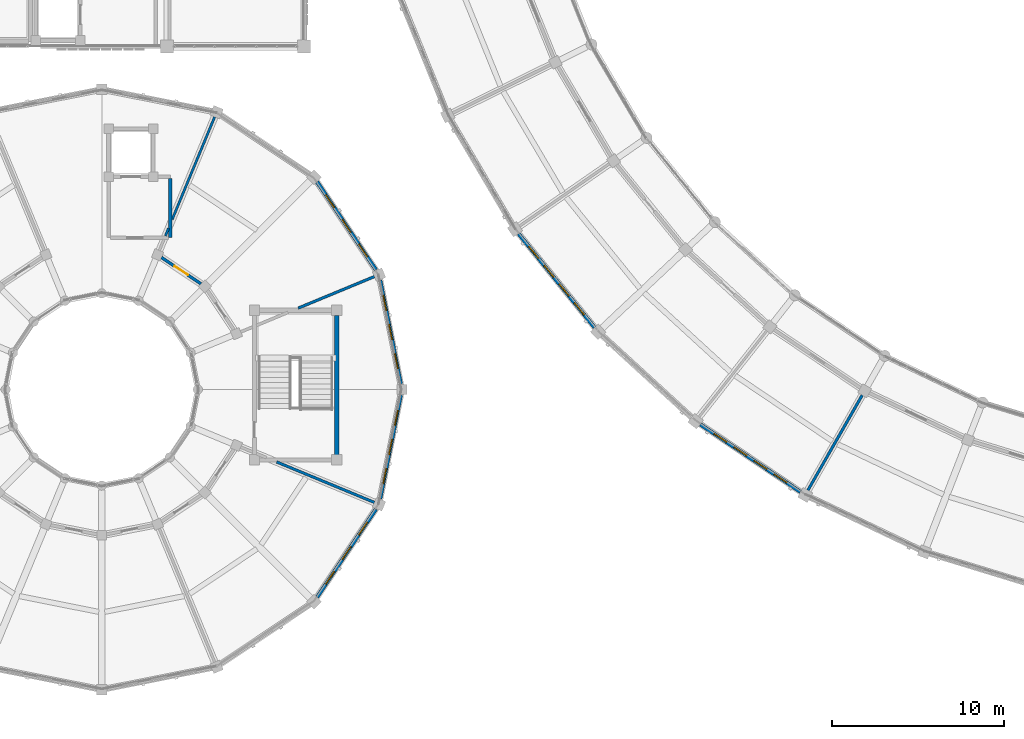
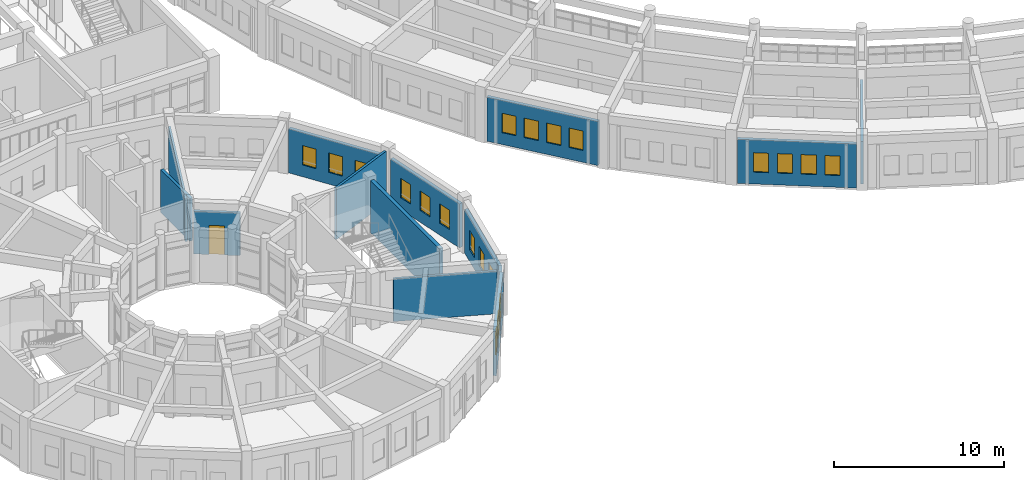
# One storey, part 118 of 159: 20 windows, 14 walls, 1 door, 21 openings.
"""IFC4 building model written with IfcOpenShell, lengths in metres."""

from ifc_helpers import new_model, si_unit, direction, frame, frame_2d, origin, place, context, subcontext, project, spatial, rectangle, extrude, material, layer, layer_set, type_object, element, fill, save


model = new_model("IFC4")

# Units and contexts
model_context = context("Model", 3, precision=1e-05, world=origin(), true_north=direction((0.0, 1.0)))
body_context = subcontext(model_context, "Body", "Model", "MODEL_VIEW")
ifc_project = project(units=[si_unit("LENGTHUNIT", "METRE"), si_unit("AREAUNIT", "SQUARE_METRE"), si_unit("VOLUMEUNIT", "CUBIC_METRE"), si_unit("PLANEANGLEUNIT", "RADIAN"), si_unit("MASSUNIT", "GRAM", prefix="KILO")], contexts=[model_context])

# Site, building, storey
site_placement = place(None, origin())
site = spatial("IfcSite", under=ifc_project, at=site_placement, CompositionType="ELEMENT")
building_placement = place(site_placement, origin())
building = spatial("IfcBuilding", under=site, at=building_placement, Name="Celadon Cloister-Ring School", CompositionType="ELEMENT")
storey_placement = place(building_placement, frame((0.0, 0.0, 4.5)))
storey = spatial("IfcBuildingStorey", under=building, at=storey_placement, Name="L01", CompositionType="ELEMENT", Elevation=4.5)

# Wall, openings, windows
ifc_material_1 = material(Name="Perforated terracotta clay brick masonry", Category="masonry")
ifc_layer_1 = layer(ifc_material_1, 0.219970703125)
ifc_layer_set_1 = layer_set([ifc_layer_1], Name="Perforated terracotta clay brick masonry")
wall_type_1 = type_object("IfcWallType", Name="WT-EX4", PredefinedType="SOLIDWALL", material=ifc_layer_set_1)
wall_1_placement = place(storey_placement, frame((48.926025390625, 23.616943359375, 0.0), z_axis=(0.0, 0.0, 1.0), x_axis=(-0.629497848331, 0.777002225831, 0.0)))
wall_1 = element("IfcWall", 1, at=wall_1_placement, inside=storey, type_object=wall_type_1, Name="Exterior Wall 0068", PredefinedType="SOLIDWALL", context=body_context, shape_type="SweptSolid", body=[
    extrude(rectangle(XDim=7.031005859375, YDim=0.219970703125, at=frame_2d((3.515625, 0.0))), origin(), (0.0, 0.0, 1.0), 3.172119140625),
])
opening_1_placement = place(wall_1_placement, frame((0.9560546875, 0.0, 0.85009765625)))
opening_1 = element("IfcOpeningElement", 2, at=opening_1_placement, cuts=wall_1, Name="Opening WN-21", PredefinedType="OPENING", context=body_context, shape_type="SweptSolid", body=[
    extrude(rectangle(XDim=0.89990234375, YDim=1.39990234375, at=frame_2d((0.449951171875, 0.699951171875))), frame((0.0, 0.1201171875, 0.0), z_axis=(0.0, -1.0, 0.0), x_axis=(1.0, 0.0, 0.0)), (0.0, 0.0, 1.0), 0.239990234375),
])
opening_2_placement = place(wall_1_placement, frame((2.362060546875, 0.0, 0.85009765625)))
opening_2 = element("IfcOpeningElement", 3, at=opening_2_placement, cuts=wall_1, Name="Opening WN-21", PredefinedType="OPENING", context=body_context, shape_type="SweptSolid", body=[
    extrude(rectangle(XDim=0.89990234375, YDim=1.39990234375, at=frame_2d((0.449951171875, 0.699951171875))), frame((0.0, 0.1201171875, 0.0), z_axis=(0.0, -1.0, 0.0), x_axis=(1.0, 0.0, 0.0)), (0.0, 0.0, 1.0), 0.239990234375),
])
opening_3_placement = place(wall_1_placement, frame((3.76904296875, 0.0, 0.85009765625)))
opening_3 = element("IfcOpeningElement", 4, at=opening_3_placement, cuts=wall_1, Name="Opening WN-21", PredefinedType="OPENING", context=body_context, shape_type="SweptSolid", body=[
    extrude(rectangle(XDim=0.89990234375, YDim=1.39990234375, at=frame_2d((0.449951171875, 0.699951171875))), frame((0.0, 0.1201171875, 0.0), z_axis=(0.0, -1.0, 0.0), x_axis=(1.0, 0.0, 0.0)), (0.0, 0.0, 1.0), 0.239990234375),
])
opening_4_placement = place(wall_1_placement, frame((5.175048828125, 0.0, 0.85009765625)))
opening_4 = element("IfcOpeningElement", 5, at=opening_4_placement, cuts=wall_1, Name="Opening WN-21", PredefinedType="OPENING", context=body_context, shape_type="SweptSolid", body=[
    extrude(rectangle(XDim=0.89990234375, YDim=1.39990234375, at=frame_2d((0.449951171875, 0.699951171875))), frame((0.0, 0.1201171875, 0.0), z_axis=(0.0, -1.0, 0.0), x_axis=(1.0, 0.0, 0.0)), (0.0, 0.0, 1.0), 0.239990234375),
])
ifc_material_2 = material(Name="Tempered laminated insulating glass", Category="glass")
window_type = type_object("IfcWindowType", Name="WN-21", PartitioningType="SINGLE_PANEL", PredefinedType="WINDOW", material=ifc_material_2)
window_1_placement = place(opening_1_placement, origin())
window_1 = element("IfcWindow", 6, at=window_1_placement, inside=storey, type_object=window_type, Name="Window 0173", OverallHeight=1.39990234375, OverallWidth=0.89990234375, PartitioningType="SINGLE_PANEL", PredefinedType="WINDOW", context=body_context, shape_type="SweptSolid", body=[
    extrude(rectangle(XDim=0.89990234375, YDim=1.39990234375, at=frame_2d((0.449951171875, 0.699951171875))), frame((0.0, 0.030029296875, 0.0), z_axis=(0.0, -1.0, 0.0), x_axis=(1.0, 0.0, 0.0)), (0.0, 0.0, 1.0), 0.06005859375),
])
fill(opening_1, window_1)
window_2_placement = place(opening_2_placement, origin())
window_2 = element("IfcWindow", 7, at=window_2_placement, inside=storey, type_object=window_type, Name="Window 0174", OverallHeight=1.39990234375, OverallWidth=0.89990234375, PartitioningType="SINGLE_PANEL", PredefinedType="WINDOW", context=body_context, shape_type="SweptSolid", body=[
    extrude(rectangle(XDim=0.89990234375, YDim=1.39990234375, at=frame_2d((0.449951171875, 0.699951171875))), frame((0.0, 0.030029296875, 0.0), z_axis=(0.0, -1.0, 0.0), x_axis=(1.0, 0.0, 0.0)), (0.0, 0.0, 1.0), 0.06005859375),
])
fill(opening_2, window_2)
window_3_placement = place(opening_3_placement, origin())
window_3 = element("IfcWindow", 8, at=window_3_placement, inside=storey, type_object=window_type, Name="Window 0175", OverallHeight=1.39990234375, OverallWidth=0.89990234375, PartitioningType="SINGLE_PANEL", PredefinedType="WINDOW", context=body_context, shape_type="SweptSolid", body=[
    extrude(rectangle(XDim=0.89990234375, YDim=1.39990234375, at=frame_2d((0.449951171875, 0.699951171875))), frame((0.0, 0.030029296875, 0.0), z_axis=(0.0, -1.0, 0.0), x_axis=(1.0, 0.0, 0.0)), (0.0, 0.0, 1.0), 0.06005859375),
])
fill(opening_3, window_3)
window_4_placement = place(opening_4_placement, origin())
window_4 = element("IfcWindow", 9, at=window_4_placement, inside=storey, type_object=window_type, Name="Window 0176", OverallHeight=1.39990234375, OverallWidth=0.89990234375, PartitioningType="SINGLE_PANEL", PredefinedType="WINDOW", context=body_context, shape_type="SweptSolid", body=[
    extrude(rectangle(XDim=0.89990234375, YDim=1.39990234375, at=frame_2d((0.449951171875, 0.699951171875))), frame((0.0, 0.030029296875, 0.0), z_axis=(0.0, -1.0, 0.0), x_axis=(1.0, 0.0, 0.0)), (0.0, 0.0, 1.0), 0.06005859375),
])
fill(opening_4, window_4)

wall_2_placement = place(storey_placement, frame((60.928955078125, 14.034912109375, 0.0), z_axis=(0.0, 0.0, 1.0), x_axis=(-0.829175809129, 0.558987904659, 0.0)))
wall_2 = element("IfcWall", 10, at=wall_2_placement, inside=storey, type_object=wall_type_1, Name="Exterior Wall 0071", PredefinedType="SOLIDWALL", context=body_context, shape_type="SweptSolid", body=[
    extrude(rectangle(XDim=7.03076171875, YDim=0.219970703125, at=frame_2d((3.515380859375, 0.0))), origin(), (0.0, 0.0, 1.0), 3.172119140625),
])
opening_5_placement = place(wall_2_placement, frame((0.9560546875, 0.0, 0.85009765625)))
opening_5 = element("IfcOpeningElement", 11, at=opening_5_placement, cuts=wall_2, Name="Opening WN-21", PredefinedType="OPENING", context=body_context, shape_type="SweptSolid", body=[
    extrude(rectangle(XDim=0.89990234375, YDim=1.39990234375, at=frame_2d((0.449951171875, 0.699951171875))), frame((0.0, 0.1201171875, 0.0), z_axis=(0.0, -1.0, 0.0), x_axis=(1.0, 0.0, 0.0)), (0.0, 0.0, 1.0), 0.239990234375),
])
opening_6_placement = place(wall_2_placement, frame((2.362060546875, 0.0, 0.85009765625)))
opening_6 = element("IfcOpeningElement", 12, at=opening_6_placement, cuts=wall_2, Name="Opening WN-21", PredefinedType="OPENING", context=body_context, shape_type="SweptSolid", body=[
    extrude(rectangle(XDim=0.89990234375, YDim=1.39990234375, at=frame_2d((0.449951171875, 0.699951171875))), frame((0.0, 0.1201171875, 0.0), z_axis=(0.0, -1.0, 0.0), x_axis=(1.0, 0.0, 0.0)), (0.0, 0.0, 1.0), 0.239990234375),
])
opening_7_placement = place(wall_2_placement, frame((3.76904296875, 0.0, 0.85009765625)))
opening_7 = element("IfcOpeningElement", 13, at=opening_7_placement, cuts=wall_2, Name="Opening WN-21", PredefinedType="OPENING", context=body_context, shape_type="SweptSolid", body=[
    extrude(rectangle(XDim=0.89990234375, YDim=1.39990234375, at=frame_2d((0.449951171875, 0.699951171875))), frame((0.0, 0.1201171875, 0.0), z_axis=(0.0, -1.0, 0.0), x_axis=(1.0, 0.0, 0.0)), (0.0, 0.0, 1.0), 0.239990234375),
])
opening_8_placement = place(wall_2_placement, frame((5.175048828125, 0.0, 0.85009765625)))
opening_8 = element("IfcOpeningElement", 14, at=opening_8_placement, cuts=wall_2, Name="Opening WN-21", PredefinedType="OPENING", context=body_context, shape_type="SweptSolid", body=[
    extrude(rectangle(XDim=0.89990234375, YDim=1.39990234375, at=frame_2d((0.449951171875, 0.699951171875))), frame((0.0, 0.1201171875, 0.0), z_axis=(0.0, -1.0, 0.0), x_axis=(1.0, 0.0, 0.0)), (0.0, 0.0, 1.0), 0.239990234375),
])
window_5_placement = place(opening_5_placement, origin())
window_5 = element("IfcWindow", 15, at=window_5_placement, inside=storey, type_object=window_type, Name="Window 0182", OverallHeight=1.39990234375, OverallWidth=0.89990234375, PartitioningType="SINGLE_PANEL", PredefinedType="WINDOW", context=body_context, shape_type="SweptSolid", body=[
    extrude(rectangle(XDim=0.89990234375, YDim=1.39990234375, at=frame_2d((0.449951171875, 0.699951171875))), frame((0.0, 0.030029296875, 0.0), z_axis=(0.0, -1.0, 0.0), x_axis=(1.0, 0.0, 0.0)), (0.0, 0.0, 1.0), 0.06005859375),
])
fill(opening_5, window_5)
window_6_placement = place(opening_6_placement, origin())
window_6 = element("IfcWindow", 16, at=window_6_placement, inside=storey, type_object=window_type, Name="Window 0183", OverallHeight=1.39990234375, OverallWidth=0.89990234375, PartitioningType="SINGLE_PANEL", PredefinedType="WINDOW", context=body_context, shape_type="SweptSolid", body=[
    extrude(rectangle(XDim=0.89990234375, YDim=1.39990234375, at=frame_2d((0.449951171875, 0.699951171875))), frame((0.0, 0.030029296875, 0.0), z_axis=(0.0, -1.0, 0.0), x_axis=(1.0, 0.0, 0.0)), (0.0, 0.0, 1.0), 0.06005859375),
])
fill(opening_6, window_6)
window_7_placement = place(opening_7_placement, origin())
window_7 = element("IfcWindow", 17, at=window_7_placement, inside=storey, type_object=window_type, Name="Window 0184", OverallHeight=1.39990234375, OverallWidth=0.89990234375, PartitioningType="SINGLE_PANEL", PredefinedType="WINDOW", context=body_context, shape_type="SweptSolid", body=[
    extrude(rectangle(XDim=0.89990234375, YDim=1.39990234375, at=frame_2d((0.449951171875, 0.699951171875))), frame((0.0, 0.030029296875, 0.0), z_axis=(0.0, -1.0, 0.0), x_axis=(1.0, 0.0, 0.0)), (0.0, 0.0, 1.0), 0.06005859375),
])
fill(opening_7, window_7)
window_8_placement = place(opening_8_placement, origin())
window_8 = element("IfcWindow", 18, at=window_8_placement, inside=storey, type_object=window_type, Name="Window 0185", OverallHeight=1.39990234375, OverallWidth=0.89990234375, PartitioningType="SINGLE_PANEL", PredefinedType="WINDOW", context=body_context, shape_type="SweptSolid", body=[
    extrude(rectangle(XDim=0.89990234375, YDim=1.39990234375, at=frame_2d((0.449951171875, 0.699951171875))), frame((0.0, 0.030029296875, 0.0), z_axis=(0.0, -1.0, 0.0), x_axis=(1.0, 0.0, 0.0)), (0.0, 0.0, 1.0), 0.06005859375),
])
fill(opening_8, window_8)

wall_3_placement = place(storey_placement, frame((36.431884765625, 26.3740234375, 0.0), z_axis=(0.0, 0.0, 1.0), x_axis=(0.195164813773, -0.980770460131, 0.0)))
wall_3 = element("IfcWall", 19, at=wall_3_placement, inside=storey, type_object=wall_type_1, Name="Exterior Wall 0311", PredefinedType="SOLIDWALL", context=body_context, shape_type="SweptSolid", body=[
    extrude(rectangle(XDim=6.169677734375, YDim=0.219970703125, at=frame_2d((3.0849609375, 0.0))), origin(), (0.0, 0.0, 1.0), 3.172119140625),
])
opening_9_placement = place(wall_3_placement, frame((0.906982421875, 0.0, 0.85009765625)))
opening_9 = element("IfcOpeningElement", 20, at=opening_9_placement, cuts=wall_3, Name="Opening WN-21", PredefinedType="OPENING", context=body_context, shape_type="SweptSolid", body=[
    extrude(rectangle(XDim=0.89990234375, YDim=1.39990234375, at=frame_2d((0.449951171875, 0.699951171875))), frame((0.0, 0.1201171875, 0.0), z_axis=(0.0, -1.0, 0.0), x_axis=(1.0, 0.0, 0.0)), (0.0, 0.0, 1.0), 0.239990234375),
])
opening_10_placement = place(wall_3_placement, frame((2.635009765625, 0.0, 0.85009765625)))
opening_10 = element("IfcOpeningElement", 21, at=opening_10_placement, cuts=wall_3, Name="Opening WN-21", PredefinedType="OPENING", context=body_context, shape_type="SweptSolid", body=[
    extrude(rectangle(XDim=0.89990234375, YDim=1.39990234375, at=frame_2d((0.449951171875, 0.699951171875))), frame((0.0, 0.1201171875, 0.0), z_axis=(0.0, -1.0, 0.0), x_axis=(1.0, 0.0, 0.0)), (0.0, 0.0, 1.0), 0.239990234375),
])
opening_11_placement = place(wall_3_placement, frame((4.362060546875, 0.0, 0.85009765625)))
opening_11 = element("IfcOpeningElement", 22, at=opening_11_placement, cuts=wall_3, Name="Opening WN-21", PredefinedType="OPENING", context=body_context, shape_type="SweptSolid", body=[
    extrude(rectangle(XDim=0.89990234375, YDim=1.39990234375, at=frame_2d((0.449951171875, 0.699951171875))), frame((0.0, 0.1201171875, 0.0), z_axis=(0.0, -1.0, 0.0), x_axis=(1.0, 0.0, 0.0)), (0.0, 0.0, 1.0), 0.239990234375),
])
window_9_placement = place(opening_9_placement, origin())
window_9 = element("IfcWindow", 23, at=window_9_placement, inside=storey, type_object=window_type, Name="Window 0803", OverallHeight=1.39990234375, OverallWidth=0.89990234375, PartitioningType="SINGLE_PANEL", PredefinedType="WINDOW", context=body_context, shape_type="SweptSolid", body=[
    extrude(rectangle(XDim=0.89990234375, YDim=1.39990234375, at=frame_2d((0.449951171875, 0.699951171875))), frame((0.0, 0.030029296875, 0.0), z_axis=(0.0, -1.0, 0.0), x_axis=(1.0, 0.0, 0.0)), (0.0, 0.0, 1.0), 0.06005859375),
])
fill(opening_9, window_9)
window_10_placement = place(opening_10_placement, origin())
window_10 = element("IfcWindow", 24, at=window_10_placement, inside=storey, type_object=window_type, Name="Window 0804", OverallHeight=1.39990234375, OverallWidth=0.89990234375, PartitioningType="SINGLE_PANEL", PredefinedType="WINDOW", context=body_context, shape_type="SweptSolid", body=[
    extrude(rectangle(XDim=0.89990234375, YDim=1.39990234375, at=frame_2d((0.449951171875, 0.699951171875))), frame((0.0, 0.030029296875, 0.0), z_axis=(0.0, -1.0, 0.0), x_axis=(1.0, 0.0, 0.0)), (0.0, 0.0, 1.0), 0.06005859375),
])
fill(opening_10, window_10)
window_11_placement = place(opening_11_placement, origin())
window_11 = element("IfcWindow", 25, at=window_11_placement, inside=storey, type_object=window_type, Name="Window 0805", OverallHeight=1.39990234375, OverallWidth=0.89990234375, PartitioningType="SINGLE_PANEL", PredefinedType="WINDOW", context=body_context, shape_type="SweptSolid", body=[
    extrude(rectangle(XDim=0.89990234375, YDim=1.39990234375, at=frame_2d((0.449951171875, 0.699951171875))), frame((0.0, 0.030029296875, 0.0), z_axis=(0.0, -1.0, 0.0), x_axis=(1.0, 0.0, 0.0)), (0.0, 0.0, 1.0), 0.06005859375),
])
fill(opening_11, window_11)

wall_4_placement = place(storey_placement, frame((32.757080078125, 32.10009765625, 0.0), z_axis=(0.0, 0.0, 1.0), x_axis=(0.555658736667, -0.831410469242, 0.0)))
wall_4 = element("IfcWall", 26, at=wall_4_placement, inside=storey, type_object=wall_type_1, Name="Exterior Wall 0312", PredefinedType="SOLIDWALL", context=body_context, shape_type="SweptSolid", body=[
    extrude(rectangle(XDim=6.169189453125, YDim=0.219970703125, at=frame_2d((3.08447265625, 0.0))), origin(), (0.0, 0.0, 1.0), 3.172119140625),
])
opening_12_placement = place(wall_4_placement, frame((0.906982421875, 0.0, 0.85009765625)))
opening_12 = element("IfcOpeningElement", 27, at=opening_12_placement, cuts=wall_4, Name="Opening WN-21", PredefinedType="OPENING", context=body_context, shape_type="SweptSolid", body=[
    extrude(rectangle(XDim=0.89990234375, YDim=1.39990234375, at=frame_2d((0.449951171875, 0.699951171875))), frame((0.0, 0.1201171875, 0.0), z_axis=(0.0, -1.0, 0.0), x_axis=(1.0, 0.0, 0.0)), (0.0, 0.0, 1.0), 0.239990234375),
])
opening_13_placement = place(wall_4_placement, frame((2.635009765625, 0.0, 0.85009765625)))
opening_13 = element("IfcOpeningElement", 28, at=opening_13_placement, cuts=wall_4, Name="Opening WN-21", PredefinedType="OPENING", context=body_context, shape_type="SweptSolid", body=[
    extrude(rectangle(XDim=0.89990234375, YDim=1.39990234375, at=frame_2d((0.449951171875, 0.699951171875))), frame((0.0, 0.1201171875, 0.0), z_axis=(0.0, -1.0, 0.0), x_axis=(1.0, 0.0, 0.0)), (0.0, 0.0, 1.0), 0.239990234375),
])
opening_14_placement = place(wall_4_placement, frame((4.362060546875, 0.0, 0.85009765625)))
opening_14 = element("IfcOpeningElement", 29, at=opening_14_placement, cuts=wall_4, Name="Opening WN-21", PredefinedType="OPENING", context=body_context, shape_type="SweptSolid", body=[
    extrude(rectangle(XDim=0.89990234375, YDim=1.39990234375, at=frame_2d((0.449951171875, 0.699951171875))), frame((0.0, 0.1201171875, 0.0), z_axis=(0.0, -1.0, 0.0), x_axis=(1.0, 0.0, 0.0)), (0.0, 0.0, 1.0), 0.239990234375),
])
window_12_placement = place(opening_12_placement, origin())
window_12 = element("IfcWindow", 30, at=window_12_placement, inside=storey, type_object=window_type, Name="Window 0806", OverallHeight=1.39990234375, OverallWidth=0.89990234375, PartitioningType="SINGLE_PANEL", PredefinedType="WINDOW", context=body_context, shape_type="SweptSolid", body=[
    extrude(rectangle(XDim=0.89990234375, YDim=1.39990234375, at=frame_2d((0.449951171875, 0.699951171875))), frame((0.0, 0.030029296875, 0.0), z_axis=(0.0, -1.0, 0.0), x_axis=(1.0, 0.0, 0.0)), (0.0, 0.0, 1.0), 0.06005859375),
])
fill(opening_12, window_12)
window_13_placement = place(opening_13_placement, origin())
window_13 = element("IfcWindow", 31, at=window_13_placement, inside=storey, type_object=window_type, Name="Window 0807", OverallHeight=1.39990234375, OverallWidth=0.89990234375, PartitioningType="SINGLE_PANEL", PredefinedType="WINDOW", context=body_context, shape_type="SweptSolid", body=[
    extrude(rectangle(XDim=0.89990234375, YDim=1.39990234375, at=frame_2d((0.449951171875, 0.699951171875))), frame((0.0, 0.030029296875, 0.0), z_axis=(0.0, -1.0, 0.0), x_axis=(1.0, 0.0, 0.0)), (0.0, 0.0, 1.0), 0.06005859375),
])
fill(opening_13, window_13)
window_14_placement = place(opening_14_placement, origin())
window_14 = element("IfcWindow", 32, at=window_14_placement, inside=storey, type_object=window_type, Name="Window 0808", OverallHeight=1.39990234375, OverallWidth=0.89990234375, PartitioningType="SINGLE_PANEL", PredefinedType="WINDOW", context=body_context, shape_type="SweptSolid", body=[
    extrude(rectangle(XDim=0.89990234375, YDim=1.39990234375, at=frame_2d((0.449951171875, 0.699951171875))), frame((0.0, 0.030029296875, 0.0), z_axis=(0.0, -1.0, 0.0), x_axis=(1.0, 0.0, 0.0)), (0.0, 0.0, 1.0), 0.06005859375),
])
fill(opening_14, window_14)

wall_5_placement = place(storey_placement, frame((36.18505859375, 13.029052734375, 0.0), z_axis=(0.0, 0.0, 1.0), x_axis=(-0.555658736667, -0.831410469242, 0.0)))
wall_5 = element("IfcWall", 33, at=wall_5_placement, inside=storey, type_object=wall_type_1, Name="Exterior Wall 0328", PredefinedType="SOLIDWALL", context=body_context, shape_type="SweptSolid", body=[
    extrude(rectangle(XDim=6.169189453125, YDim=0.219970703125, at=frame_2d((3.08447265625, 0.0))), origin(), (0.0, 0.0, 1.0), 3.172119140625),
])
opening_15_placement = place(wall_5_placement, frame((0.906982421875, 0.0, 0.85009765625)))
opening_15 = element("IfcOpeningElement", 34, at=opening_15_placement, cuts=wall_5, Name="Opening WN-21", PredefinedType="OPENING", context=body_context, shape_type="SweptSolid", body=[
    extrude(rectangle(XDim=0.89990234375, YDim=1.39990234375, at=frame_2d((0.449951171875, 0.699951171875))), frame((0.0, 0.1201171875, 0.0), z_axis=(0.0, -1.0, 0.0), x_axis=(1.0, 0.0, 0.0)), (0.0, 0.0, 1.0), 0.239990234375),
])
opening_16_placement = place(wall_5_placement, frame((2.635009765625, 0.0, 0.85009765625)))
opening_16 = element("IfcOpeningElement", 35, at=opening_16_placement, cuts=wall_5, Name="Opening WN-21", PredefinedType="OPENING", context=body_context, shape_type="SweptSolid", body=[
    extrude(rectangle(XDim=0.89990234375, YDim=1.39990234375, at=frame_2d((0.449951171875, 0.699951171875))), frame((0.0, 0.1201171875, 0.0), z_axis=(0.0, -1.0, 0.0), x_axis=(1.0, 0.0, 0.0)), (0.0, 0.0, 1.0), 0.239990234375),
])
opening_17_placement = place(wall_5_placement, frame((4.362060546875, 0.0, 0.85009765625)))
opening_17 = element("IfcOpeningElement", 36, at=opening_17_placement, cuts=wall_5, Name="Opening WN-21", PredefinedType="OPENING", context=body_context, shape_type="SweptSolid", body=[
    extrude(rectangle(XDim=0.89990234375, YDim=1.39990234375, at=frame_2d((0.449951171875, 0.699951171875))), frame((0.0, 0.1201171875, 0.0), z_axis=(0.0, -1.0, 0.0), x_axis=(1.0, 0.0, 0.0)), (0.0, 0.0, 1.0), 0.239990234375),
])
window_15_placement = place(opening_15_placement, origin())
window_15 = element("IfcWindow", 37, at=window_15_placement, inside=storey, type_object=window_type, Name="Window 0845", OverallHeight=1.39990234375, OverallWidth=0.89990234375, PartitioningType="SINGLE_PANEL", PredefinedType="WINDOW", context=body_context, shape_type="SweptSolid", body=[
    extrude(rectangle(XDim=0.89990234375, YDim=1.39990234375, at=frame_2d((0.449951171875, 0.699951171875))), frame((0.0, 0.030029296875, 0.0), z_axis=(0.0, -1.0, 0.0), x_axis=(1.0, 0.0, 0.0)), (0.0, 0.0, 1.0), 0.06005859375),
])
fill(opening_15, window_15)
window_16_placement = place(opening_16_placement, origin())
window_16 = element("IfcWindow", 38, at=window_16_placement, inside=storey, type_object=window_type, Name="Window 0846", OverallHeight=1.39990234375, OverallWidth=0.89990234375, PartitioningType="SINGLE_PANEL", PredefinedType="WINDOW", context=body_context, shape_type="SweptSolid", body=[
    extrude(rectangle(XDim=0.89990234375, YDim=1.39990234375, at=frame_2d((0.449951171875, 0.699951171875))), frame((0.0, 0.030029296875, 0.0), z_axis=(0.0, -1.0, 0.0), x_axis=(1.0, 0.0, 0.0)), (0.0, 0.0, 1.0), 0.06005859375),
])
fill(opening_16, window_16)
window_17_placement = place(opening_17_placement, origin())
window_17 = element("IfcWindow", 39, at=window_17_placement, inside=storey, type_object=window_type, Name="Window 0847", OverallHeight=1.39990234375, OverallWidth=0.89990234375, PartitioningType="SINGLE_PANEL", PredefinedType="WINDOW", context=body_context, shape_type="SweptSolid", body=[
    extrude(rectangle(XDim=0.89990234375, YDim=1.39990234375, at=frame_2d((0.449951171875, 0.699951171875))), frame((0.0, 0.030029296875, 0.0), z_axis=(0.0, -1.0, 0.0), x_axis=(1.0, 0.0, 0.0)), (0.0, 0.0, 1.0), 0.06005859375),
])
fill(opening_17, window_17)

wall_6_placement = place(storey_placement, frame((37.635986328125, 19.677001953125, 0.0), z_axis=(0.0, 0.0, 1.0), x_axis=(-0.195164813773, -0.980770460131, 0.0)))
wall_6 = element("IfcWall", 40, at=wall_6_placement, inside=storey, type_object=wall_type_1, Name="Exterior Wall 0330", PredefinedType="SOLIDWALL", context=body_context, shape_type="SweptSolid", body=[
    extrude(rectangle(XDim=6.169677734375, YDim=0.219970703125, at=frame_2d((3.0849609375, 0.0))), origin(), (0.0, 0.0, 1.0), 3.172119140625),
])
opening_18_placement = place(wall_6_placement, frame((0.906982421875, 0.0, 0.85009765625)))
opening_18 = element("IfcOpeningElement", 41, at=opening_18_placement, cuts=wall_6, Name="Opening WN-21", PredefinedType="OPENING", context=body_context, shape_type="SweptSolid", body=[
    extrude(rectangle(XDim=0.89990234375, YDim=1.39990234375, at=frame_2d((0.449951171875, 0.699951171875))), frame((0.0, 0.1201171875, 0.0), z_axis=(0.0, -1.0, 0.0), x_axis=(1.0, 0.0, 0.0)), (0.0, 0.0, 1.0), 0.239990234375),
])
opening_19_placement = place(wall_6_placement, frame((2.635009765625, 0.0, 0.85009765625)))
opening_19 = element("IfcOpeningElement", 42, at=opening_19_placement, cuts=wall_6, Name="Opening WN-21", PredefinedType="OPENING", context=body_context, shape_type="SweptSolid", body=[
    extrude(rectangle(XDim=0.89990234375, YDim=1.39990234375, at=frame_2d((0.449951171875, 0.699951171875))), frame((0.0, 0.1201171875, 0.0), z_axis=(0.0, -1.0, 0.0), x_axis=(1.0, 0.0, 0.0)), (0.0, 0.0, 1.0), 0.239990234375),
])
opening_20_placement = place(wall_6_placement, frame((4.362060546875, 0.0, 0.85009765625)))
opening_20 = element("IfcOpeningElement", 43, at=opening_20_placement, cuts=wall_6, Name="Opening WN-21", PredefinedType="OPENING", context=body_context, shape_type="SweptSolid", body=[
    extrude(rectangle(XDim=0.89990234375, YDim=1.39990234375, at=frame_2d((0.449951171875, 0.699951171875))), frame((0.0, 0.1201171875, 0.0), z_axis=(0.0, -1.0, 0.0), x_axis=(1.0, 0.0, 0.0)), (0.0, 0.0, 1.0), 0.239990234375),
])
window_18_placement = place(opening_18_placement, origin())
window_18 = element("IfcWindow", 44, at=window_18_placement, inside=storey, type_object=window_type, Name="Window 0848", OverallHeight=1.39990234375, OverallWidth=0.89990234375, PartitioningType="SINGLE_PANEL", PredefinedType="WINDOW", context=body_context, shape_type="SweptSolid", body=[
    extrude(rectangle(XDim=0.89990234375, YDim=1.39990234375, at=frame_2d((0.449951171875, 0.699951171875))), frame((0.0, 0.030029296875, 0.0), z_axis=(0.0, -1.0, 0.0), x_axis=(1.0, 0.0, 0.0)), (0.0, 0.0, 1.0), 0.06005859375),
])
fill(opening_18, window_18)
window_19_placement = place(opening_19_placement, origin())
window_19 = element("IfcWindow", 45, at=window_19_placement, inside=storey, type_object=window_type, Name="Window 0849", OverallHeight=1.39990234375, OverallWidth=0.89990234375, PartitioningType="SINGLE_PANEL", PredefinedType="WINDOW", context=body_context, shape_type="SweptSolid", body=[
    extrude(rectangle(XDim=0.89990234375, YDim=1.39990234375, at=frame_2d((0.449951171875, 0.699951171875))), frame((0.0, 0.030029296875, 0.0), z_axis=(0.0, -1.0, 0.0), x_axis=(1.0, 0.0, 0.0)), (0.0, 0.0, 1.0), 0.06005859375),
])
fill(opening_19, window_19)
window_20_placement = place(opening_20_placement, origin())
window_20 = element("IfcWindow", 46, at=window_20_placement, inside=storey, type_object=window_type, Name="Window 0850", OverallHeight=1.39990234375, OverallWidth=0.89990234375, PartitioningType="SINGLE_PANEL", PredefinedType="WINDOW", context=body_context, shape_type="SweptSolid", body=[
    extrude(rectangle(XDim=0.89990234375, YDim=1.39990234375, at=frame_2d((0.449951171875, 0.699951171875))), frame((0.0, 0.030029296875, 0.0), z_axis=(0.0, -1.0, 0.0), x_axis=(1.0, 0.0, 0.0)), (0.0, 0.0, 1.0), 0.06005859375),
])
fill(opening_20, window_20)

# Wall
ifc_material_3 = material(Name="Plastered hollow concrete masonry", Category="masonry")
ifc_layer_2 = layer(ifc_material_3, 0.199951171875)
ifc_layer_set_2 = layer_set([ifc_layer_2], Name="Plastered hollow concrete masonry")
wall_type_2 = type_object("IfcWallType", Name="WT-PT1", PredefinedType="PARTITIONING", material=ifc_layer_set_2)
wall_7_placement = place(storey_placement, frame((24.199951171875, 28.85009765625, 0.0), z_axis=(0.0, 0.0, 1.0), x_axis=(0.0, 1.0, 0.0)))
element("IfcWall", 47, at=wall_7_placement, inside=storey, type_object=wall_type_2, Name="Interior Wall 0381", PredefinedType="PARTITIONING", context=body_context, shape_type="SweptSolid", body=[
    extrude(rectangle(XDim=3.447021484375, YDim=0.199951171875, at=frame_2d((1.7236328125, 0.0))), origin(), (0.0, 0.0, 1.0), 3.072021484375),
])

# Wall, opening, door
ifc_material_4 = material(Name="Plastered hollow concrete masonry", Category="masonry")
ifc_layer_3 = layer(ifc_material_4, 0.179931640625)
ifc_layer_set_3 = layer_set([ifc_layer_3], Name="Plastered hollow concrete masonry")
wall_type_3 = type_object("IfcWallType", Name="WT-PT2", PredefinedType="PARTITIONING", material=ifc_layer_set_3)
wall_8_placement = place(storey_placement, frame((25.98388671875, 26.160888671875, 0.0), z_axis=(0.0, 0.0, 1.0), x_axis=(-0.831318045056, 0.555797002478, 0.0)))
wall_8 = element("IfcWall", 48, at=wall_8_placement, inside=storey, type_object=wall_type_3, Name="Interior Wall 0807", PredefinedType="PARTITIONING", context=body_context, shape_type="SweptSolid", body=[
    extrude(rectangle(XDim=2.772705078125, YDim=0.179931640625, at=frame_2d((1.38623046875, 0.0))), origin(), (0.0, 0.0, 1.0), 3.072021484375),
])
opening_21_placement = place(wall_8_placement, frame((0.926025390625, 0.0, 0.0)))
opening_21 = element("IfcOpeningElement", 49, at=opening_21_placement, cuts=wall_8, Name="Opening D-0291", PredefinedType="OPENING", context=body_context, shape_type="SweptSolid", body=[
    extrude(rectangle(XDim=0.919921875, YDim=2.10009765625, at=frame_2d((0.4599609375, 1.050048828125))), frame((0.0, 0.10009765625, 0.0), z_axis=(0.0, -1.0, 0.0), x_axis=(1.0, 0.0, 0.0)), (0.0, 0.0, 1.0), 0.199951171875),
])
ifc_material_5 = material(Name="Solid-core fire-rated hardwood leaf", Category="wood")
door_type = type_object("IfcDoorType", Name="DT-02", OperationType="NOTDEFINED", PredefinedType="DOOR", material=ifc_material_5)
door_placement = place(opening_21_placement, origin())
door = element("IfcDoor", 50, at=door_placement, inside=storey, type_object=door_type, Name="Door D-0291", OperationType="SINGLE_SWING_LEFT", OverallHeight=2.10009765625, OverallWidth=0.919921875, PredefinedType="DOOR", context=body_context, shape_type="SweptSolid", body=[
    extrude(rectangle(XDim=0.919921875, YDim=2.10009765625, at=frame_2d((0.4599609375, 1.050048828125))), frame((0.0, 0.02490234375, 0.0), z_axis=(0.0, -1.0, 0.0), x_axis=(1.0, 0.0, 0.0)), (0.0, 0.0, 1.0), 0.050048828125),
])
fill(opening_21, door)

# Walls
ifc_material_6 = material(Name="Plastered hollow concrete masonry", Category="masonry")
ifc_layer_4 = layer(ifc_material_6, 0.159912109375)
ifc_layer_set_4 = layer_set([ifc_layer_4], Name="Plastered hollow concrete masonry")
wall_type_4 = type_object("IfcWallType", Name="WT-PT3", PredefinedType="PARTITIONING", material=ifc_layer_set_4)
wall_9_placement = place(storey_placement, frame((64.534912109375, 19.672119140625, 0.0), z_axis=(0.0, 0.0, 1.0), x_axis=(-0.495957929612, -0.868346550667, 0.0)))
element("IfcWall", 51, at=wall_9_placement, inside=storey, type_object=wall_type_4, Name="Interior Wall 0491", PredefinedType="PARTITIONING", context=body_context, shape_type="SweptSolid", body=[
    extrude(rectangle(XDim=6.3916015625, YDim=0.159912109375, at=frame_2d((3.19580078125, 0.0))), origin(), (0.0, 0.0, 1.0), 3.072021484375),
])
wall_10_placement = place(storey_placement, frame((31.65087890625, 24.742919921875, 0.0), z_axis=(0.0, 0.0, 1.0), x_axis=(0.923877739946, 0.382687759972, 0.0)))
element("IfcWall", 52, at=wall_10_placement, inside=storey, type_object=wall_type_4, Name="Interior Wall 0791", PredefinedType="PARTITIONING", context=body_context, shape_type="SweptSolid", body=[
    extrude(rectangle(XDim=4.8134765625, YDim=0.159912109375, at=frame_2d((2.40673828125, 0.0))), origin(), (0.0, 0.0, 1.0), 3.699951171875),
])
wall_11_placement = place(storey_placement, frame((30.39599609375, 15.777099609375, 0.0), z_axis=(0.0, 0.0, 1.0), x_axis=(0.923864955254, -0.382718623082, 0.0)))
element("IfcWall", 53, at=wall_11_placement, inside=storey, type_object=wall_type_4, Name="Interior Wall 0805", PredefinedType="PARTITIONING", context=body_context, shape_type="SweptSolid", body=[
    extrude(rectangle(XDim=6.171875, YDim=0.159912109375, at=frame_2d((3.0859375, 0.0))), origin(), (0.0, 0.0, 1.0), 3.072021484375),
])
ifc_material_7 = material(Name="Acoustic mineral-wool drywall partition")
ifc_layer_5 = layer(ifc_material_7, 0.139892578125)
ifc_layer_set_5 = layer_set([ifc_layer_5], Name="Acoustic mineral-wool drywall partition")
wall_type_5 = type_object("IfcWallType", Name="WT-PT4", PredefinedType="PARTITIONING", material=ifc_layer_set_5)
wall_12_placement = place(storey_placement, frame((23.907958984375, 28.952880859375, 0.0), z_axis=(0.0, 0.0, 1.0), x_axis=(0.3827885685, 0.92383597669, 0.0)))
element("IfcWall", 54, at=wall_12_placement, inside=storey, type_object=wall_type_5, Name="Interior Wall 0793", PredefinedType="PARTITIONING", context=body_context, shape_type="SweptSolid", body=[
    extrude(rectangle(XDim=0.49365234375, YDim=0.139892578125, at=frame_2d((0.246826171875, 0.0))), origin(), (0.0, 0.0, 1.0), 3.072021484375),
])
wall_13_placement = place(storey_placement, frame((24.302978515625, 29.906005859375, 0.0), z_axis=(0.0, 0.0, 1.0), x_axis=(0.382682035927, 0.923880110934, 0.0)))
element("IfcWall", 55, at=wall_13_placement, inside=storey, type_object=wall_type_5, Name="Interior Wall 0794", PredefinedType="PARTITIONING", context=body_context, shape_type="SweptSolid", body=[
    extrude(rectangle(XDim=6.485595703125, YDim=0.139892578125, at=frame_2d((3.24267578125, 0.0))), origin(), (0.0, 0.0, 1.0), 3.072021484375),
])
ifc_material_8 = material(Name="Concrete C40/50", Category="concrete")
ifc_layer_6 = layer(ifc_material_8, 0.239990234375)
ifc_layer_set_6 = layer_set([ifc_layer_6], Name="Concrete C40/50")
wall_type_6 = type_object("IfcWallType", Name="WT-SH1", PredefinedType="SHEAR", material=ifc_layer_set_6)
wall_14_placement = place(storey_placement, frame((33.89990234375, 24.327880859375, 0.0), z_axis=(0.0, 0.0, 1.0), x_axis=(0.0, -1.0, 0.0)))
element("IfcWall", 56, at=wall_14_placement, inside=storey, type_object=wall_type_6, Name="Interior Wall 0070", PredefinedType="SHEAR", context=body_context, shape_type="SweptSolid", body=[
    extrude(rectangle(XDim=8.135986328125, YDim=0.239990234375, at=frame_2d((4.06787109375, 0.0))), origin(), (0.0, 0.0, 1.0), 3.739990234375),
])

save(model, "model.ifc")
